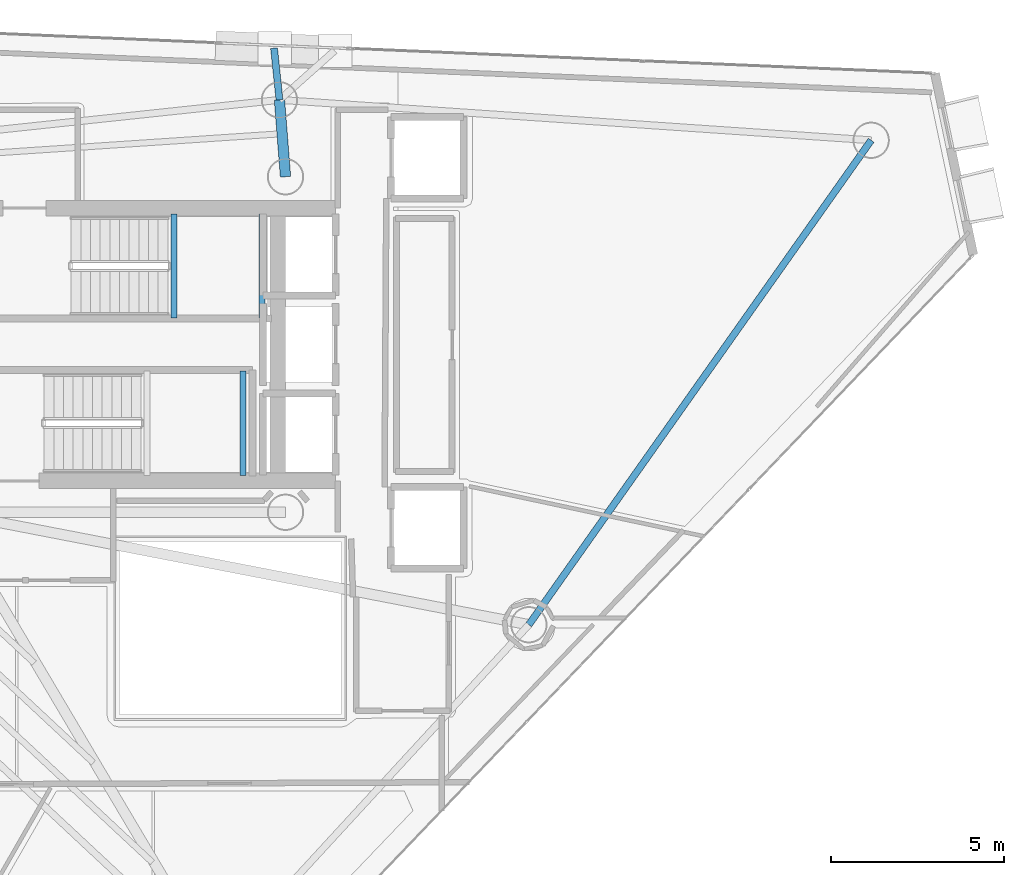
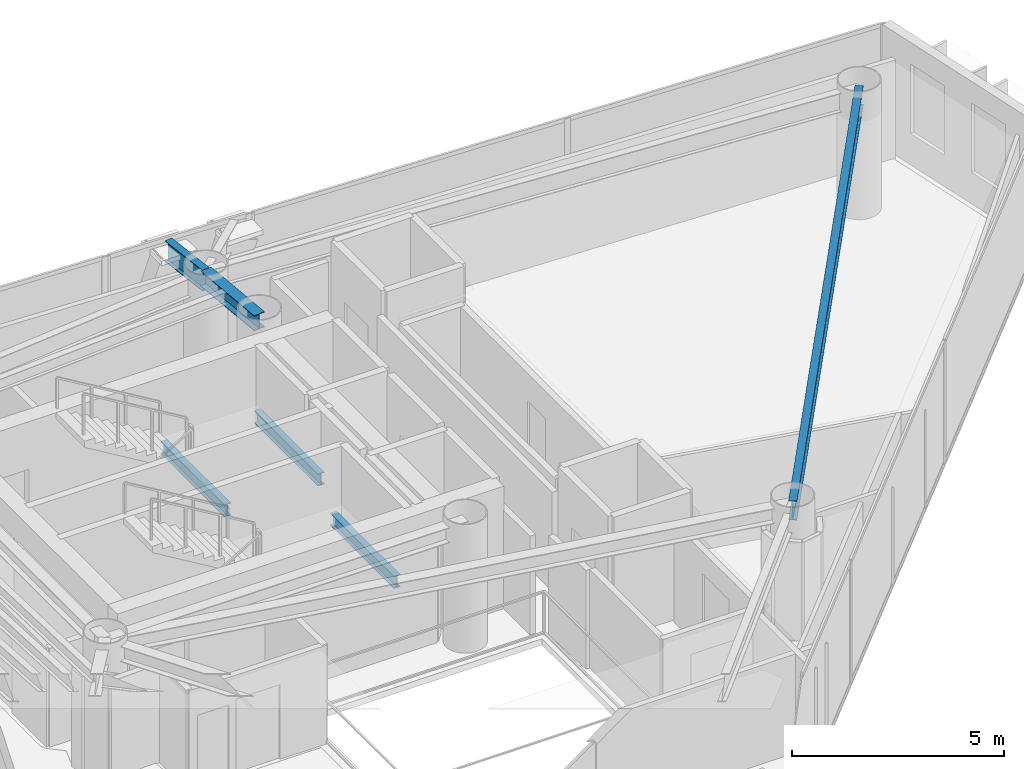
# One storey, part 10 of 21: 6 beams.
"""IFC4 building model written with IfcOpenShell, lengths in metres."""

from ifc_helpers import new_model, si_unit, direction, frame, origin, origin_2d, place, context, subcontext, project, spatial, i_section, extrude, material, material_profile, profile_set, type_object, element, save


model = new_model("IFC4")

# Units and contexts
model_context = context("Model", 3, precision=1e-05, world=origin(), true_north=direction((0.0, 1.0)))
body_context = subcontext(model_context, "Body", "Model", "MODEL_VIEW")
ifc_project = project(units=[si_unit("LENGTHUNIT", "METRE"), si_unit("AREAUNIT", "SQUARE_METRE"), si_unit("VOLUMEUNIT", "CUBIC_METRE"), si_unit("PLANEANGLEUNIT", "RADIAN"), si_unit("MASSUNIT", "GRAM", prefix="KILO")], contexts=[model_context])

# Site, building, storey
site_placement = place(None, origin())
site = spatial("IfcSite", under=ifc_project, at=site_placement, CompositionType="ELEMENT")
building_placement = place(site_placement, origin())
building = spatial("IfcBuilding", under=site, at=building_placement, Name="Qianvela Tower", CompositionType="ELEMENT")
storey_placement = place(building_placement, frame((0.0, 0.0, 242.699951171875)))
storey = spatial("IfcBuildingStorey", under=building, at=storey_placement, Name="L62", CompositionType="ELEMENT", Elevation=242.699951171875)

# Beams
ifc_material_1 = material(Name="Steel Q355B", Category="steel")
ifc_material_profile_1 = material_profile(ifc_material_1, i_section(OverallWidth=0.300048828125, OverallDepth=0.43994140625, WebThickness=0.010986328125, FlangeThickness=0.01806640625, at=origin_2d()), Name="HM440x300x11x18")
ifc_profile_set_1 = profile_set([ifc_material_profile_1], Name="Steel Q355B")
beam_type_1 = type_object("IfcBeamType", Name="BM-HM440-COLL", PredefinedType="BEAM", material=ifc_profile_set_1)
beam_1_placement = place(storey_placement, frame((38.39990234375, 33.550048828125, 3.298095703125), z_axis=(-0.078396085685, 0.996922290727, 0.0), x_axis=(-0.996922290727, -0.078396085685, 0.0)))
element("IfcBeam", 1, at=beam_1_placement, inside=storey, type_object=beam_type_1, Name="L62 Radial Primary Floor Girder 2", PredefinedType="BEAM", context=body_context, shape_type="SweptSolid", body=[
    extrude(i_section(OverallWidth=0.300048828125, OverallDepth=0.43994140625, WebThickness=0.010986328125, FlangeThickness=0.01806640625, at=origin_2d()), origin(), (0.0, 0.0, 1.0), 2.229736328125),
])
ifc_material_2 = material(Name="Steel Q355B", Category="steel")
ifc_material_profile_2 = material_profile(ifc_material_2, i_section(OverallWidth=0.175048828125, OverallDepth=0.35009765625, WebThickness=0.007080078125, FlangeThickness=0.010986328125, at=origin_2d()), Name="HN350x175x7x11")
ifc_profile_set_2 = profile_set([ifc_material_profile_2], Name="Steel Q355B")
beam_type_2 = type_object("IfcBeamType", Name="BM-HN350-JOIST", PredefinedType="JOIST", material=ifc_profile_set_2)
for number, where, z_axis, x_axis, name in (
    (2, (35.179931640625, 29.4599609375, 1.47509765625), (0.0, 1.0, 0.0), (-1.0, 0.0, 0.0), "L62 Stair ST-1 Landing Support Beam 1.1"),
    (3, (37.719970703125, 29.4599609375, 1.47509765625), (0.0, 1.0, 0.0), (-1.0, 0.0, 0.0), "L62 Stair ST-1 Landing Support Beam 1.2"),
    (4, (37.169921875, 24.919921875, 1.47509765625), (0.0, 1.0, 0.0), (-1.0, 0.0, 0.0), "L62 Stair ST-2 Landing Support Beam 1.2"),
):
    element("IfcBeam", number, at=place(storey_placement, frame(where, z_axis=z_axis, x_axis=x_axis)), inside=storey, type_object=beam_type_2, Name=name, PredefinedType="JOIST", context=body_context, shape_type="SweptSolid", body=[
        extrude(i_section(OverallWidth=0.175048828125, OverallDepth=0.35009765625, WebThickness=0.007080078125, FlangeThickness=0.010986328125, at=origin_2d()), origin(), (0.0, 0.0, 1.0), 3.02001953125),
    ])
ifc_material_3 = material(Name="Steel Q355B", Category="steel")
ifc_material_profile_3 = material_profile(ifc_material_3, i_section(OverallWidth=0.199951171875, OverallDepth=0.550048828125, WebThickness=0.010009765625, FlangeThickness=0.01611328125, at=origin_2d()), Name="HN550x200x10x16")
ifc_profile_set_3 = profile_set([ifc_material_profile_3], Name="Steel Q355B")
beam_type_3 = type_object("IfcBeamType", Name="BM-HN550-GIRD", PredefinedType="BEAM", material=ifc_profile_set_3)
beam_2_placement = place(storey_placement, frame((45.43603515625, 20.597900390625, 3.2431640625), z_axis=(0.577019604961, 0.816730295441, 0.0), x_axis=(-0.816730295441, 0.577019604961, 0.0)))
element("IfcBeam", 5, at=beam_2_placement, inside=storey, type_object=beam_type_3, Name="L62 Perimeter Ring Spandrel Girder 6", PredefinedType="BEAM", context=body_context, shape_type="SweptSolid", body=[
    extrude(i_section(OverallWidth=0.199951171875, OverallDepth=0.550048828125, WebThickness=0.010009765625, FlangeThickness=0.01611328125, at=origin_2d()), origin(), (0.0, 0.0, 1.0), 17.150146484375),
])
ifc_material_4 = material(Name="Steel Q355B", Category="steel")
ifc_material_profile_4 = material_profile(ifc_material_4, i_section(OverallWidth=0.199951171875, OverallDepth=0.60009765625, WebThickness=0.010986328125, FlangeThickness=0.01708984375, at=origin_2d()), Name="HN600x200x11x17")
ifc_profile_set_4 = profile_set([ifc_material_profile_4], Name="Steel Q355B")
beam_type_4 = type_object("IfcBeamType", Name="BM-HN600-GIRD", PredefinedType="BEAM", material=ifc_profile_set_4)
beam_3_placement = place(storey_placement, frame((38.22509765625, 35.77294921875, 3.218017578125), z_axis=(-0.104194767825, 0.994556911573, 0.0), x_axis=(-0.994556911573, -0.104194767825, 0.0)))
element("IfcBeam", 6, at=beam_3_placement, inside=storey, type_object=beam_type_4, Name="L62 Mega-Brace Column Tie Bracket F1-2", PredefinedType="BEAM", context=body_context, shape_type="SweptSolid", body=[
    extrude(i_section(OverallWidth=0.199951171875, OverallDepth=0.60009765625, WebThickness=0.010986328125, FlangeThickness=0.01708984375, at=origin_2d()), origin(), (0.0, 0.0, 1.0), 1.50439453125),
])

save(model, "model.ifc")
